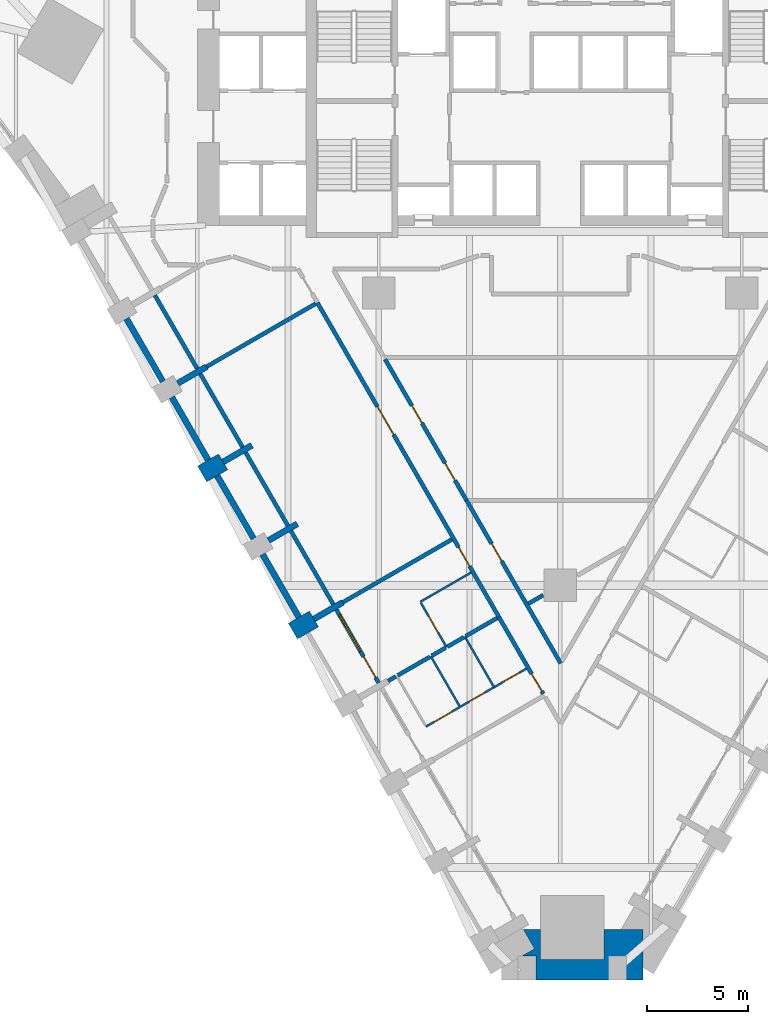
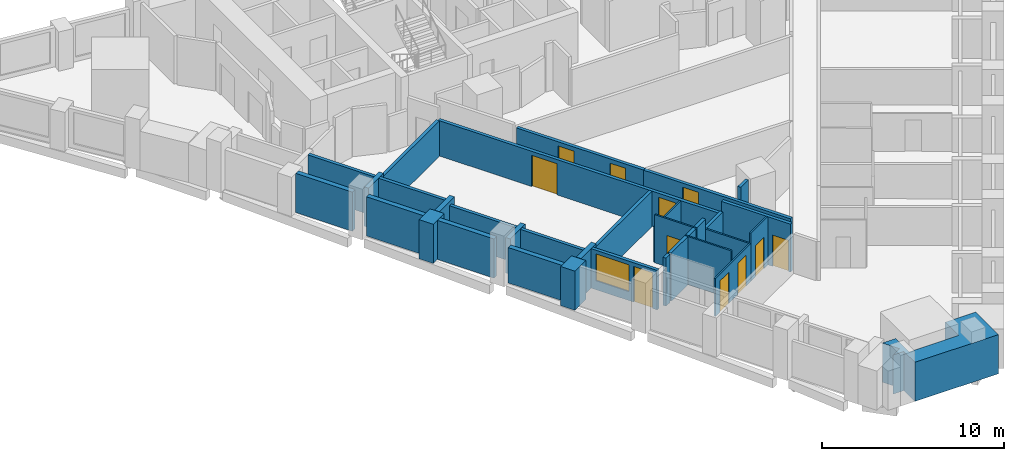
# One storey, part 3 of 10: 34 walls, 11 doors, 1 window, 12 openings.
"""IFC4 building model written with IfcOpenShell, lengths in metres."""

import ifcopenshell
import ifcopenshell.guid

model = None  # the IFC model being written
_history = None  # IfcOwnerHistory: only IFC2X3 demands one
_inside = {}  # id of a spatial element -> (the spatial element, [elements in it])
_under = {}  # id of a project, library or spatial element -> (it, [spatial elements below it])
_declared = {}  # id of a project -> (the project, [libraries it declares])
_typed = {}  # id of a type object -> (the type object, [elements of that type])
_made_of = {}  # id of a material, layer set ... -> (it, [elements and type objects made of it])


def new_model(schema):
    """Start an empty IFC model of exactly this schema.

    Asked for "IFC4X3", IfcOpenShell would pick the latest addendum, in which some entities
    have other attributes; the version numbers below select the first issue.
    IFC2X3 requires an IfcOwnerHistory on every rooted entity: one is made here for all.
    """
    global model, _history
    if schema == "IFC4X3":
        model = ifcopenshell.file(schema_version=(4, 3, 0, 0))
    else:
        model = ifcopenshell.file(schema=schema)
    _inside.clear()
    _under.clear()
    _declared.clear()
    _typed.clear()
    _made_of.clear()
    _history = None
    if model.schema == "IFC2X3":
        org = make("IfcOrganization", Name="unknown")
        user = make(
            "IfcPersonAndOrganization",
            ThePerson=make("IfcPerson", FamilyName="unknown"),
            TheOrganization=org,
        )
        app = make(
            "IfcApplication",
            ApplicationDeveloper=org,
            Version="unknown",
            ApplicationFullName="unknown",
            ApplicationIdentifier="unknown",
        )
        _history = make(
            "IfcOwnerHistory",
            OwningUser=user,
            OwningApplication=app,
            ChangeAction="ADDED",
            CreationDate=0,
        )
    return model


def make(cls, **values):
    """One entity of the class cls with the attributes given. An attribute that is None is left unset."""
    return model.create_entity(
        cls, **{name: value for name, value in values.items() if value is not None}
    )


def rooted(cls, **values):
    """An entity with a GlobalId (a new one), such as an element, a storey or a relation."""
    return make(cls, GlobalId=ifcopenshell.guid.new(), OwnerHistory=_history, **values)


def si_unit(unit_type, name, prefix=None):
    """IfcSIUnit, for example si_unit("LENGTHUNIT", "METRE", prefix="MILLI")."""
    return make("IfcSIUnit", UnitType=unit_type, Prefix=prefix, Name=name)


def assignment(units):
    """IfcUnitAssignment: the units of a project."""
    return None if units is None else make("IfcUnitAssignment", Units=units)


def point(xyz):
    """IfcCartesianPoint."""
    return None if xyz is None else make("IfcCartesianPoint", Coordinates=xyz)


def direction(xyz):
    """IfcDirection."""
    return None if xyz is None else make("IfcDirection", DirectionRatios=xyz)


def frame(location, z_axis=None, x_axis=None):
    """IfcAxis2Placement3D, a coordinate frame: its origin and axes. An axis left out is left unset."""
    return make(
        "IfcAxis2Placement3D",
        Location=point(location),
        Axis=direction(z_axis),
        RefDirection=direction(x_axis),
    )


def frame_2d(location, x_axis=None):
    """IfcAxis2Placement2D, a coordinate frame in the plane: its origin and x axis."""
    return make(
        "IfcAxis2Placement2D", Location=point(location), RefDirection=direction(x_axis)
    )


def origin():
    """The frame at (0, 0, 0) with its axes left unset."""
    return frame((0.0, 0.0, 0.0))


def place(relative_to, where):
    """IfcLocalPlacement: puts the frame where relative to a parent placement (None: the world)."""
    return make(
        "IfcLocalPlacement", PlacementRelTo=relative_to, RelativePlacement=where
    )


def context(
    kind, dimensions, precision=None, world=None, true_north=None, identifier=None
):
    """IfcGeometricRepresentationContext, for example the 3D "Model" context."""
    return make(
        "IfcGeometricRepresentationContext",
        ContextIdentifier=identifier,
        ContextType=kind,
        CoordinateSpaceDimension=dimensions,
        Precision=precision,
        WorldCoordinateSystem=world,
        TrueNorth=true_north,
    )


def subcontext(parent, identifier, kind, view, scale=None):
    """IfcGeometricRepresentationSubContext, for example "Body" below "Model"."""
    return make(
        "IfcGeometricRepresentationSubContext",
        ContextIdentifier=identifier,
        ContextType=kind,
        ParentContext=parent,
        TargetScale=scale,
        TargetView=view,
    )


def project(units=None, contexts=None):
    """IfcProject with its units and contexts."""
    return rooted(
        "IfcProject",
        Name="project",
        RepresentationContexts=contexts,
        UnitsInContext=assignment(units),
    )


def spatial(cls, under=None, at=None, **own):
    """A site, building, storey or space (cls), placed at a placement, below another one or the project."""
    s = rooted(cls, ObjectPlacement=at, **own)
    if under is not None:
        _under.setdefault(under.id(), (under, []))[1].append(s)
    return s


def polyline(points):
    """IfcPolyline through the points."""
    return make("IfcPolyline", Points=[point(p) for p in points])


def profile(cls, at=None, kind="AREA", **sizes):
    """A parametric profile (cls). Its sizes go by their IFC names, for example OverallWidth=200.0."""
    return make(cls, ProfileType=kind, Position=at, **sizes)


def rectangle(**sizes):
    """IfcRectangleProfileDef."""
    return profile("IfcRectangleProfileDef", **sizes)


def outline(outer, holes=None, kind="AREA"):
    """IfcArbitraryClosedProfileDef: a profile drawn as a closed curve; with holes, ...WithVoids."""
    if holes is None:
        return make("IfcArbitraryClosedProfileDef", ProfileType=kind, OuterCurve=outer)
    return make(
        "IfcArbitraryProfileDefWithVoids",
        ProfileType=kind,
        OuterCurve=outer,
        InnerCurves=holes,
    )


def extrude(swept, where, along, depth):
    """IfcExtrudedAreaSolid: the profile swept, set in the frame where, extruded along a direction by depth."""
    return make(
        "IfcExtrudedAreaSolid",
        SweptArea=swept,
        Position=where,
        ExtrudedDirection=direction(along),
        Depth=depth,
    )


def shape(context_of_items, identifier, shape_type, items):
    """IfcShapeRepresentation: the items that make up one representation, for example the "Body"."""
    return make(
        "IfcShapeRepresentation",
        ContextOfItems=context_of_items,
        RepresentationIdentifier=identifier,
        RepresentationType=shape_type,
        Items=items,
    )


def material(Name=None, Category=None):
    """IfcMaterial."""
    return make("IfcMaterial", Name=Name, Category=Category)


def layer(
    of_material, thickness, ventilated=None, Name=None, Category=None, Priority=None
):
    """IfcMaterialLayer: one layer of a wall or slab, of a material (None: an air gap)."""
    return make(
        "IfcMaterialLayer",
        Material=of_material,
        LayerThickness=thickness,
        IsVentilated=ventilated,
        Name=Name,
        Category=Category,
        Priority=Priority,
    )


def layer_set(layers, Name=None):
    """IfcMaterialLayerSet."""
    return make("IfcMaterialLayerSet", MaterialLayers=layers, LayerSetName=Name)


def made_of(thing, what):
    """Note that an element or type object is made of a material, layer set ...; save() writes the relation."""
    if what is not None:
        _made_of.setdefault(what.id(), (what, []))[1].append(thing)
    return thing


def type_object(cls, material=None, **own):
    """A type object (cls), such as IfcWallType, which elements share."""
    return made_of(rooted(cls, **own), material)


def element(
    cls,
    number,
    at=None,
    inside=None,
    cuts=None,
    type_object=None,
    material=None,
    context=None,
    identifier="Body",
    shape_type=None,
    held_by="IfcProductDefinitionShape",
    body=None,
    shapes=None,
    **own,
):
    """One element of the class cls, such as IfcWall. Its Tag is "e" and its number.

    at: its placement. inside: the storey or other place that contains it. cuts: it is an
    opening in that element (IfcRelVoidsElement). A single representation is given by context,
    identifier, shape_type and body (its items); several are given by shapes. held_by: the class
    of the entity that holds the representations. save() writes the other relations.
    """
    e = rooted(cls, Tag="e%d" % number, ObjectPlacement=at, **own)
    if body is not None:
        shapes = [shape(context, identifier, shape_type, body)]
    if shapes is not None:
        e.Representation = make(held_by, Representations=shapes)
    if inside is not None:
        _inside.setdefault(inside.id(), (inside, []))[1].append(e)
    if cuts is not None:
        rooted(
            "IfcRelVoidsElement", RelatingBuildingElement=cuts, RelatedOpeningElement=e
        )
    if type_object is not None:
        _typed.setdefault(type_object.id(), (type_object, []))[1].append(e)
    return made_of(e, material)


def fill(opening, filler):
    """IfcRelFillsElement: the door or window that sits in an opening."""
    return rooted(
        "IfcRelFillsElement",
        RelatingOpeningElement=opening,
        RelatedBuildingElement=filler,
    )


def aggregate(whole, parts):
    """IfcRelAggregates: a whole, such as a stair, and the parts it consists of."""
    return rooted("IfcRelAggregates", RelatingObject=whole, RelatedObjects=parts)


def save(model, path):
    """Write the relations noted so far, then the file.

    IfcRelAggregates (storeys below a building ...), IfcRelContainedInSpatialStructure (elements
    in a storey), IfcRelDefinesByType, IfcRelAssociatesMaterial and IfcRelDeclares: one each for
    every whole, place, type object, material and project.
    """
    for whole, parts in _under.values():
        aggregate(whole, parts)
    for where, things in _inside.values():
        rooted(
            "IfcRelContainedInSpatialStructure",
            RelatedElements=things,
            RelatingStructure=where,
        )
    for kind, things in _typed.values():
        rooted("IfcRelDefinesByType", RelatedObjects=things, RelatingType=kind)
    for what, things in _made_of.values():
        rooted("IfcRelAssociatesMaterial", RelatedObjects=things, RelatingMaterial=what)
    for by, libraries in _declared.values():
        rooted("IfcRelDeclares", RelatingContext=by, RelatedDefinitions=libraries)
    model.write(path)


model = new_model("IFC4")

# Units and contexts
model_context = context("Model", 3, precision=1e-05, world=origin(), true_north=direction((0.0, 1.0)))
body_context = subcontext(model_context, "Body", "Model", "MODEL_VIEW")
ifc_project = project(units=[si_unit("LENGTHUNIT", "METRE"), si_unit("AREAUNIT", "SQUARE_METRE"), si_unit("VOLUMEUNIT", "CUBIC_METRE"), si_unit("PLANEANGLEUNIT", "RADIAN"), si_unit("MASSUNIT", "GRAM", prefix="KILO")], contexts=[model_context])

# Site, building, storey
site_placement = place(None, origin())
site = spatial("IfcSite", under=ifc_project, at=site_placement, CompositionType="ELEMENT")
building_placement = place(site_placement, origin())
building = spatial("IfcBuilding", under=site, at=building_placement, Name="Calabash Gate Tower", CompositionType="ELEMENT")
storey_placement = place(building_placement, frame((0.0, 0.0, 69.800048828125)))
storey = spatial("IfcBuildingStorey", under=building, at=storey_placement, Name="L13", CompositionType="ELEMENT", Elevation=69.800048828125)

# Walls
ifc_material_1 = material(Name="Terracotta brick masonry, exposed face", Category="masonry")
ifc_layer_1 = layer(ifc_material_1, 2.5)
ifc_layer_set_1 = layer_set([ifc_layer_1], Name="Brick corner mass wall 2500")
wall_type_1 = type_object("IfcWallType", Name="Brick corner mass wall 2500", PredefinedType="SOLIDWALL", material=ifc_layer_set_1)
wall_1_placement = place(storey_placement, origin())
element("IfcWall", 1, at=wall_1_placement, inside=storey, type_object=wall_type_1, Name="Brick corner pier S03 2bb", PredefinedType="SOLIDWALL", context=body_context, shape_type="SweptSolid", body=[
    extrude(outline(polyline([(-1.202880859375, -30.376953125), (-1.202880859375, -31.576904296875), (4.115478515625, -31.576904296875), (4.115478515625, -29.076904296875), (2.172119140625, -29.076904296875), (2.172119140625, -30.548095703125), (-0.97802734375, -30.548095703125), (-0.97802734375, -29.076904296875), (-1.8251953125, -29.076904296875), (-1.276611328125, -30.027099609375), (-1.8828125, -30.376953125), (-1.202880859375, -30.376953125)])), origin(), (0.0, 0.0, 1.0), 2.6298828125),
])
ifc_material_2 = material(Name="Terracotta brick masonry, exposed face", Category="masonry")
ifc_layer_2 = layer(ifc_material_2, 1.199951171875)
ifc_layer_set_2 = layer_set([ifc_layer_2], Name="Brick end wall 1200")
wall_type_2 = type_object("IfcWallType", Name="Brick end wall 1200", PredefinedType="SOLIDWALL", material=ifc_layer_set_2)
for number, where, z_axis, x_axis, name in (
    (2, (-17.759033203125, -6.478759765625, 0.0), (0.0, 0.0, 1.0), (0.866006032174, 0.500033551112, 0.0), "Brick pier S03 SW0.3"),
    (3, (-13.259033203125, -14.27294921875, 0.0), (0.0, 0.0, 1.0), (0.866006032174, 0.500033551112, 0.0), "Brick pier S03 SW0.5"),
):
    element("IfcWall", number, at=place(storey_placement, frame(where, z_axis=z_axis, x_axis=x_axis)), inside=storey, type_object=wall_type_2, Name=name, PredefinedType="SOLIDWALL", context=body_context, shape_type="SweptSolid", body=[
        extrude(rectangle(XDim=1.2001953125, YDim=0.89990234375, at=frame_2d((0.60009765625, 0.0))), origin(), (0.0, 0.0, 1.0), 2.6298828125),
    ])
ifc_material_3 = material(Name="Terracotta brick masonry, exposed face", Category="masonry")
ifc_layer_3 = layer(ifc_material_3, 0.300048828125)
ifc_layer_set_3 = layer_set([ifc_layer_3], Name="Brick infill panel wall 300")
wall_type_3 = type_object("IfcWallType", Name="Brick infill panel wall 300", PredefinedType="SOLIDWALL", material=ifc_layer_set_3)
wall_2_placement = place(storey_placement, frame((-21.514404296875, 1.225830078125, 0.0), z_axis=(0.0, 0.0, 1.0), x_axis=(0.500012057535, -0.866018442252, 0.0)))
element("IfcWall", 4, at=wall_2_placement, inside=storey, type_object=wall_type_3, Name="Brick panel S03 SW0.2", PredefinedType="SOLIDWALL", context=body_context, shape_type="SweptSolid", body=[
    extrude(rectangle(XDim=3.60009765625, YDim=0.300048828125, at=frame_2d((1.800048828125, 0.0))), origin(), (0.0, 0.0, 1.0), 2.6298828125),
])
wall_3_placement = place(storey_placement, frame((-17.46435546875, -5.7890625, 0.0), z_axis=(0.0, 0.0, 1.0), x_axis=(-0.50001992892, 0.866013897511, 0.0)))
element("IfcWall", 5, at=wall_3_placement, inside=storey, type_object=wall_type_3, Name="Brick panel S03 SW0.3", PredefinedType="SOLIDWALL", context=body_context, shape_type="SweptSolid", body=[
    extrude(rectangle(XDim=3.599365234375, YDim=0.300048828125, at=frame_2d((1.7998046875, 0.0))), origin(), (0.0, 0.0, 1.0), 2.6298828125),
])
wall_4_placement = place(storey_placement, frame((-17.014404296875, -6.568359375, 0.0), z_axis=(0.0, 0.0, 1.0), x_axis=(0.500012057535, -0.866018442252, 0.0)))
element("IfcWall", 6, at=wall_4_placement, inside=storey, type_object=wall_type_3, Name="Brick panel S03 SW0.4", PredefinedType="SOLIDWALL", context=body_context, shape_type="SweptSolid", body=[
    extrude(rectangle(XDim=3.60009765625, YDim=0.300048828125, at=frame_2d((1.800048828125, 0.0))), origin(), (0.0, 0.0, 1.0), 2.6298828125),
])
wall_5_placement = place(storey_placement, frame((-12.96435546875, -13.583251953125, 0.0), z_axis=(0.0, 0.0, 1.0), x_axis=(-0.499990559667, 0.866030854095, 0.0)))
element("IfcWall", 7, at=wall_5_placement, inside=storey, type_object=wall_type_3, Name="Brick panel S03 SW0.5", PredefinedType="SOLIDWALL", context=body_context, shape_type="SweptSolid", body=[
    extrude(rectangle(XDim=3.599609375, YDim=0.300048828125, at=frame_2d((1.7998046875, 0.0))), origin(), (0.0, 0.0, 1.0), 2.3740234375),
])
ifc_material_4 = material(Name="Terracotta brick masonry, exposed face", Category="masonry")
ifc_layer_4 = layer(ifc_material_4, 0.300048828125)
ifc_layer_set_4 = layer_set([ifc_layer_4], Name="Brick loggia cheek wall 300")
wall_type_4 = type_object("IfcWallType", Name="Brick loggia cheek wall 300", PredefinedType="SOLIDWALL", material=ifc_layer_set_4)
for number, where, z_axis, x_axis, name in (
    (8, (-17.540771484375, -1.15673828125, 0.0), (0.0, 0.0, 1.0), (-0.866104278045, -0.499863360881, 0.0), "Loggia cheek S03 SW0.2"),
    (9, (-15.290771484375, -5.0537109375, 0.0), (0.0, 0.0, 1.0), (-0.866040211805, -0.499974350878, 0.0), "Loggia cheek S03 SW0.3"),
):
    element("IfcWall", number, at=place(storey_placement, frame(where, z_axis=z_axis, x_axis=x_axis)), inside=storey, type_object=wall_type_4, Name=name, PredefinedType="SOLIDWALL", context=body_context, shape_type="SweptSolid", body=[
        extrude(rectangle(XDim=1.64990234375, YDim=0.300048828125, at=frame_2d((0.824951171875, 0.0))), origin(), (0.0, 0.0, 1.0), 2.64990234375),
    ])
wall_6_placement = place(storey_placement, frame((-14.469482421875, -9.775634765625, 0.0), z_axis=(0.0, 0.0, 1.0), x_axis=(0.866067297121, 0.499927431592, 0.0)))
element("IfcWall", 10, at=wall_6_placement, inside=storey, type_object=wall_type_4, Name="Loggia cheek S03 SW0.4", PredefinedType="SOLIDWALL", context=body_context, shape_type="SweptSolid", body=[
    extrude(rectangle(XDim=1.649658203125, YDim=0.300048828125, at=frame_2d((0.82470703125, 0.0))), origin(), (0.0, 0.0, 1.0), 2.384033203125),
])
wall_7_placement = place(storey_placement, frame((-12.2197265625, -13.6728515625, 0.0), z_axis=(0.0, 0.0, 1.0), x_axis=(0.866040211805, 0.499974350878, 0.0)))
element("IfcWall", 11, at=wall_7_placement, inside=storey, type_object=wall_type_4, Name="Loggia cheek S03 SW0.5", PredefinedType="SOLIDWALL", context=body_context, shape_type="SweptSolid", body=[
    extrude(rectangle(XDim=1.64990234375, YDim=0.300048828125, at=frame_2d((0.824951171875, 0.0))), origin(), (0.0, 0.0, 1.0), 2.64990234375),
])

# Wall, openings, doors
ifc_material_5 = material(Name="Gypsum board on steel studs, mineral wool", Category="steel")
ifc_layer_5 = layer(ifc_material_5, 0.10009765625)
ifc_layer_set_5 = layer_set([ifc_layer_5], Name="Partition 100 gypsum board")
wall_type_5 = type_object("IfcWallType", Name="Partition 100 gypsum board", PredefinedType="PARTITIONING", material=ifc_layer_set_5)
wall_8_placement = place(storey_placement, frame((-6.656982421875, -19.008056640625, 0.0), z_axis=(0.0, 0.0, 1.0), x_axis=(0.865563469975, 0.50079924066, 0.0)))
wall_8 = element("IfcWall", 12, at=wall_8_placement, inside=storey, type_object=wall_type_5, Name="Partition", PredefinedType="PARTITIONING", context=body_context, shape_type="SweptSolid", body=[
    extrude(rectangle(XDim=3.89794921875, YDim=0.10009765625, at=frame_2d((1.948974609375, 0.0))), origin(), (0.0, 0.0, 1.0), 2.5517578125),
])
opening_1_placement = place(wall_8_placement, frame((2.47509765625, 0.0, 0.0)))
opening_1 = element("IfcOpeningElement", 13, at=opening_1_placement, cuts=wall_8, Name="Opening 12-14-017", PredefinedType="OPENING", context=body_context, shape_type="SweptSolid", body=[
    extrude(rectangle(XDim=0.89990234375, YDim=2.10009765625, at=frame_2d((0.449951171875, 1.050048828125))), frame((0.0, 0.06005859375, 0.0), z_axis=(0.0, -1.0, 0.0), x_axis=(1.0, 0.0, 0.0)), (0.0, 0.0, 1.0), 0.1201171875),
])
opening_2_placement = place(wall_8_placement, frame((0.474853515625, 0.0, 0.0)))
opening_2 = element("IfcOpeningElement", 14, at=opening_2_placement, cuts=wall_8, Name="Opening 12-14-018", PredefinedType="OPENING", context=body_context, shape_type="SweptSolid", body=[
    extrude(rectangle(XDim=1.0, YDim=2.10009765625, at=frame_2d((0.5, 1.050048828125))), frame((0.0, 0.06005859375, 0.0), z_axis=(0.0, -1.0, 0.0), x_axis=(1.0, 0.0, 0.0)), (0.0, 0.0, 1.0), 0.1201171875),
])
ifc_material_6 = material(Name="Painted timber door", Category="wood")
door_type_1 = type_object("IfcDoorType", Name="WD1 WC door 900x2100", OperationType="NOTDEFINED", PredefinedType="DOOR", material=ifc_material_6)
door_1_placement = place(opening_1_placement, origin())
door_1 = element("IfcDoor", 15, at=door_1_placement, inside=storey, type_object=door_type_1, Name="WC door", OperationType="SINGLE_SWING_RIGHT", OverallHeight=2.10009765625, OverallWidth=0.89990234375, PredefinedType="DOOR", context=body_context, shape_type="SweptSolid", body=[
    extrude(rectangle(XDim=0.89990234375, YDim=2.10009765625, at=frame_2d((0.449951171875, 1.050048828125))), frame((0.0, 0.02490234375, 0.0), z_axis=(0.0, -1.0, 0.0), x_axis=(1.0, 0.0, 0.0)), (0.0, 0.0, 1.0), 0.050048828125),
])
fill(opening_1, door_1)
ifc_material_7 = material(Name="Painted timber door", Category="wood")
door_type_2 = type_object("IfcDoorType", Name="WD2 Accessible WC door 1000x2100", OperationType="NOTDEFINED", PredefinedType="DOOR", material=ifc_material_7)
door_2_placement = place(opening_2_placement, origin())
door_2 = element("IfcDoor", 16, at=door_2_placement, inside=storey, type_object=door_type_2, Name="Accessible WC door", OperationType="SINGLE_SWING_LEFT", OverallHeight=2.10009765625, OverallWidth=1.0, PredefinedType="DOOR", context=body_context, shape_type="SweptSolid", body=[
    extrude(rectangle(XDim=1.0, YDim=2.10009765625, at=frame_2d((0.5, 1.050048828125))), frame((0.0, 0.02490234375, 0.0), z_axis=(0.0, -1.0, 0.0), x_axis=(1.0, 0.0, 0.0)), (0.0, 0.0, 1.0), 0.050048828125),
])
fill(opening_2, door_2)

# Wall
wall_9_placement = place(storey_placement, frame((-6.420654296875, -15.521240234375, 0.0), z_axis=(0.0, 0.0, 1.0), x_axis=(0.499972122318, -0.866041498374, 0.0)))
element("IfcWall", 17, at=wall_9_placement, inside=storey, type_object=wall_type_5, Name="Partition", PredefinedType="PARTITIONING", context=body_context, shape_type="SweptSolid", body=[
    extrude(rectangle(XDim=2.849853515625, YDim=0.10009765625, at=frame_2d((1.4248046875, 0.0))), origin(), (0.0, 0.0, 1.0), 3.22998046875),
])

# Wall, opening, door
wall_10_placement = place(storey_placement, frame((-3.280517578125, -17.056396484375, 0.0), z_axis=(0.0, 0.0, 1.0), x_axis=(0.866058118026, 0.49994333299, 0.0)))
wall_10 = element("IfcWall", 18, at=wall_10_placement, inside=storey, type_object=wall_type_5, Name="Partition", PredefinedType="PARTITIONING", context=body_context, shape_type="SweptSolid", body=[
    extrude(rectangle(XDim=1.849853515625, YDim=0.10009765625, at=frame_2d((0.9248046875, 0.0))), origin(), (0.0, 0.0, 1.0), 3.22998046875),
])
opening_3_placement = place(wall_10_placement, frame((0.52490234375, 0.0, 0.0)))
opening_3 = element("IfcOpeningElement", 19, at=opening_3_placement, cuts=wall_10, Name="Opening 12-14-016", PredefinedType="OPENING", context=body_context, shape_type="SweptSolid", body=[
    extrude(rectangle(XDim=0.89990234375, YDim=2.10009765625, at=frame_2d((0.449951171875, 1.050048828125))), frame((0.0, 0.06005859375, 0.0), z_axis=(0.0, -1.0, 0.0), x_axis=(1.0, 0.0, 0.0)), (0.0, 0.0, 1.0), 0.1201171875),
])
door_3_placement = place(opening_3_placement, origin())
door_3 = element("IfcDoor", 20, at=door_3_placement, inside=storey, type_object=door_type_1, Name="WC door", OperationType="SINGLE_SWING_RIGHT", OverallHeight=2.10009765625, OverallWidth=0.89990234375, PredefinedType="DOOR", context=body_context, shape_type="SweptSolid", body=[
    extrude(rectangle(XDim=0.89990234375, YDim=2.10009765625, at=frame_2d((0.449951171875, 1.050048828125))), frame((0.0, 0.02490234375, 0.0), z_axis=(0.0, -1.0, 0.0), x_axis=(1.0, 0.0, 0.0)), (0.0, 0.0, 1.0), 0.050048828125),
])
fill(opening_3, door_3)

# Wall
wall_11_placement = place(storey_placement, frame((-4.73193359375, -14.546142578125, 0.0), z_axis=(0.0, 0.0, 1.0), x_axis=(0.499972122318, -0.866041498374, 0.0)))
element("IfcWall", 21, at=wall_11_placement, inside=storey, type_object=wall_type_5, Name="Partition", PredefinedType="PARTITIONING", context=body_context, shape_type="SweptSolid", body=[
    extrude(rectangle(XDim=2.849853515625, YDim=0.10009765625, at=frame_2d((1.4248046875, 0.0))), origin(), (0.0, 0.0, 1.0), 2.5517578125),
])

# Wall, opening, door
wall_12_placement = place(storey_placement, frame((-6.914794921875, -12.86181640625, 0.0), z_axis=(0.0, 0.0, 1.0), x_axis=(0.500062241894, -0.865989465428, 0.0)))
wall_12 = element("IfcWall", 22, at=wall_12_placement, inside=storey, type_object=wall_type_5, Name="Partition", PredefinedType="PARTITIONING", context=body_context, shape_type="SweptSolid", body=[
    extrude(rectangle(XDim=2.550048828125, YDim=0.10009765625, at=frame_2d((1.27490234375, 0.0))), origin(), (0.0, 0.0, 1.0), 3.22998046875),
])
opening_4_placement = place(wall_12_placement, frame((0.800048828125, 0.0, 0.0)))
opening_4 = element("IfcOpeningElement", 23, at=opening_4_placement, cuts=wall_12, Name="Opening 12-14-003", PredefinedType="OPENING", context=body_context, shape_type="SweptSolid", body=[
    extrude(rectangle(XDim=0.89990234375, YDim=2.10009765625, at=frame_2d((0.449951171875, 1.050048828125))), frame((0.0, 0.06005859375, 0.0), z_axis=(0.0, -1.0, 0.0), x_axis=(1.0, 0.0, 0.0)), (0.0, 0.0, 1.0), 0.1201171875),
])
ifc_material_8 = material(Name="Painted timber door", Category="wood")
door_type_3 = type_object("IfcDoorType", Name="GD6 Accessible en-suite door 900x2100", OperationType="NOTDEFINED", PredefinedType="DOOR", material=ifc_material_8)
door_4_placement = place(opening_4_placement, origin())
door_4 = element("IfcDoor", 24, at=door_4_placement, inside=storey, type_object=door_type_3, Name="Accessible en-suite door", OperationType="SINGLE_SWING_LEFT", OverallHeight=2.10009765625, OverallWidth=0.89990234375, PredefinedType="DOOR", context=body_context, shape_type="SweptSolid", body=[
    extrude(rectangle(XDim=0.89990234375, YDim=2.10009765625, at=frame_2d((0.449951171875, 1.050048828125))), frame((0.0, 0.02490234375, 0.0), z_axis=(0.0, -1.0, 0.0), x_axis=(1.0, 0.0, 0.0)), (0.0, 0.0, 1.0), 0.050048828125),
])
fill(opening_4, door_4)

# Wall
wall_13_placement = place(storey_placement, frame((-6.939697265625, -12.818359375, 0.0), z_axis=(0.0, 0.0, 1.0), x_axis=(0.866314505181, 0.49949892704, 0.0)))
element("IfcWall", 25, at=wall_13_placement, inside=storey, type_object=wall_type_5, Name="Partition", PredefinedType="PARTITIONING", context=body_context, shape_type="SweptSolid", body=[
    extrude(rectangle(XDim=2.89990234375, YDim=0.10009765625, at=frame_2d((1.449951171875, 0.0))), origin(), (0.0, 0.0, 1.0), 2.3740234375),
])

# Wall, opening, door
ifc_material_9 = material(Name="Gypsum board on steel studs, mineral wool", Category="steel")
ifc_layer_6 = layer(ifc_material_9, 0.199951171875)
ifc_layer_set_6 = layer_set([ifc_layer_6], Name="Partition 200 gypsum board EI 60")
wall_type_6 = type_object("IfcWallType", Name="Partition 200 gypsum board EI 60", PredefinedType="PARTITIONING", material=ifc_layer_set_6)
wall_14_placement = place(storey_placement, frame((-3.042236328125, -13.57275390625, 0.0), z_axis=(0.0, 0.0, 1.0), x_axis=(0.49998522367, -0.866033934735, 0.0)))
wall_14 = element("IfcWall", 26, at=wall_14_placement, inside=storey, type_object=wall_type_6, Name="Partition", PredefinedType="PARTITIONING", context=body_context, shape_type="SweptSolid", body=[
    extrude(rectangle(XDim=4.396728515625, YDim=0.199951171875, at=frame_2d((2.1982421875, 0.0))), origin(), (0.0, 0.0, 1.0), 3.22998046875),
])
opening_5_placement = place(wall_14_placement, frame((3.25, 0.0, 0.0)))
opening_5 = element("IfcOpeningElement", 27, at=opening_5_placement, cuts=wall_14, Name="Opening 12-14-015", PredefinedType="OPENING", context=body_context, shape_type="SweptSolid", body=[
    extrude(rectangle(XDim=1.0, YDim=2.10009765625, at=frame_2d((0.5, 1.050048828125))), frame((0.0, 0.10986328125, 0.0), z_axis=(0.0, -1.0, 0.0), x_axis=(1.0, 0.0, 0.0)), (0.0, 0.0, 1.0), 0.219970703125),
])
ifc_material_10 = material(Name="Steel fire door set with fire-resisting glazing", Category="steel")
door_type_4 = type_object("IfcDoorType", Name="WD3 WC lobby door 1000x2100", OperationType="NOTDEFINED", PredefinedType="DOOR", material=ifc_material_10)
door_5_placement = place(opening_5_placement, origin())
door_5 = element("IfcDoor", 28, at=door_5_placement, inside=storey, type_object=door_type_4, Name="WC lobby door", OperationType="SINGLE_SWING_LEFT", OverallHeight=2.10009765625, OverallWidth=1.0, PredefinedType="DOOR", context=body_context, shape_type="SweptSolid", body=[
    extrude(rectangle(XDim=1.0, YDim=2.10009765625, at=frame_2d((0.5, 1.050048828125))), frame((0.0, 0.02490234375, 0.0), z_axis=(0.0, -1.0, 0.0), x_axis=(1.0, 0.0, 0.0)), (0.0, 0.0, 1.0), 0.050048828125),
])
fill(opening_5, door_5)

# Walls
wall_15_placement = place(storey_placement, frame((-8.540771484375, -16.7451171875, 0.0), z_axis=(0.0, 0.0, 1.0), x_axis=(0.867942353255, 0.496664948861, 0.0)))
element("IfcWall", 29, at=wall_15_placement, inside=storey, type_object=wall_type_6, Name="Partition", PredefinedType="PARTITIONING", context=body_context, shape_type="SweptSolid", body=[
    extrude(rectangle(XDim=0.44970703125, YDim=0.199951171875, at=frame_2d((0.224853515625, 0.0))), origin(), (0.0, 0.0, 1.0), 3.22998046875),
])
wall_16_placement = place(storey_placement, frame((-8.064453125, -16.47021484375, 0.0), z_axis=(0.0, 0.0, 1.0), x_axis=(0.866499636502, 0.49917770377, 0.0)))
element("IfcWall", 30, at=wall_16_placement, inside=storey, type_object=wall_type_6, Name="Partition", PredefinedType="PARTITIONING", context=body_context, shape_type="SweptSolid", body=[
    extrude(rectangle(XDim=1.849609375, YDim=0.199951171875, at=frame_2d((0.9248046875, 0.0))), origin(), (0.0, 0.0, 1.0), 3.22998046875),
])
wall_17_placement = place(storey_placement, frame((-6.375732421875, -15.4951171875, 0.0), z_axis=(0.0, 0.0, 1.0), x_axis=(0.866155162719, 0.499775183552, 0.0)))
element("IfcWall", 31, at=wall_17_placement, inside=storey, type_object=wall_type_6, Name="Partition", PredefinedType="PARTITIONING", context=body_context, shape_type="SweptSolid", body=[
    extrude(rectangle(XDim=0.801513671875, YDim=0.199951171875, at=frame_2d((0.40087890625, 0.0))), origin(), (0.0, 0.0, 1.0), 3.22998046875),
])
wall_18_placement = place(storey_placement, frame((-5.597900390625, -15.04638671875, 0.0), z_axis=(0.0, 0.0, 1.0), x_axis=(0.866787114338, 0.498678351664, 0.0)))
element("IfcWall", 32, at=wall_18_placement, inside=storey, type_object=wall_type_6, Name="Partition", PredefinedType="PARTITIONING", context=body_context, shape_type="SweptSolid", body=[
    extrude(rectangle(XDim=0.95166015625, YDim=0.199951171875, at=frame_2d((0.475830078125, 0.0))), origin(), (0.0, 0.0, 1.0), 3.22998046875),
])
wall_19_placement = place(storey_placement, frame((-4.68701171875, -14.520263671875, 0.0), z_axis=(0.0, 0.0, 1.0), x_axis=(0.866533485277, 0.499118942632, 0.0)))
element("IfcWall", 33, at=wall_19_placement, inside=storey, type_object=wall_type_6, Name="Partition", PredefinedType="PARTITIONING", context=body_context, shape_type="SweptSolid", body=[
    extrude(rectangle(XDim=1.798095703125, YDim=0.199951171875, at=frame_2d((0.89892578125, 0.0))), origin(), (0.0, 0.0, 1.0), 2.5517578125),
])

# Wall, openings, doors
wall_20_placement = place(storey_placement, frame((-12.043212890625, 2.017333984375, 0.0), z_axis=(0.0, 0.0, 1.0), x_axis=(0.5000018851, -0.866024315419, 0.0)))
wall_20 = element("IfcWall", 34, at=wall_20_placement, inside=storey, type_object=wall_type_6, Name="Partition", PredefinedType="PARTITIONING", context=body_context, shape_type="SweptSolid", body=[
    extrude(rectangle(XDim=18.0, YDim=0.199951171875, at=frame_2d((9.0, 0.0))), origin(), (0.0, 0.0, 1.0), 2.3740234375),
])
opening_6_placement = place(wall_20_placement, frame((5.949951171875, 0.0, 0.0)))
opening_6 = element("IfcOpeningElement", 35, at=opening_6_placement, cuts=wall_20, Name="Opening 12-14-001", PredefinedType="OPENING", context=body_context, shape_type="SweptSolid", body=[
    extrude(rectangle(XDim=1.60009765625, YDim=2.10009765625, at=frame_2d((0.800048828125, 1.050048828125))), frame((0.0, 0.10986328125, 0.0), z_axis=(0.0, -1.0, 0.0), x_axis=(1.0, 0.0, 0.0)), (0.0, 0.0, 1.0), 0.219970703125),
])
opening_7_placement = place(wall_20_placement, frame((14.0, 0.0, 0.0)))
opening_7 = element("IfcOpeningElement", 36, at=opening_7_placement, cuts=wall_20, Name="Opening 12-14-002", PredefinedType="OPENING", context=body_context, shape_type="SweptSolid", body=[
    extrude(rectangle(XDim=1.10009765625, YDim=2.10009765625, at=frame_2d((0.550048828125, 1.050048828125))), frame((0.0, 0.10986328125, 0.0), z_axis=(0.0, -1.0, 0.0), x_axis=(1.0, 0.0, 0.0)), (0.0, 0.0, 1.0), 0.219970703125),
])
ifc_material_11 = material(Name="Steel fire door set with fire-resisting glazing", Category="steel")
door_type_5 = type_object("IfcDoorType", Name="GD2 Accessible guest room entrance door 1100x2100", OperationType="NOTDEFINED", PredefinedType="DOOR", material=ifc_material_11)
door_6_placement = place(opening_7_placement, origin())
door_6 = element("IfcDoor", 37, at=door_6_placement, inside=storey, type_object=door_type_5, Name="Accessible guest room entrance door", OperationType="SINGLE_SWING_RIGHT", OverallHeight=2.10009765625, OverallWidth=1.10009765625, PredefinedType="DOOR", context=body_context, shape_type="SweptSolid", body=[
    extrude(rectangle(XDim=1.10009765625, YDim=2.10009765625, at=frame_2d((0.550048828125, 1.050048828125))), frame((0.0, 0.02490234375, 0.0), z_axis=(0.0, -1.0, 0.0), x_axis=(1.0, 0.0, 0.0)), (0.0, 0.0, 1.0), 0.050048828125),
])
fill(opening_7, door_6)
ifc_material_12 = material(Name="Steel fire door set with fire-resisting glazing", Category="steel")
door_type_6 = type_object("IfcDoorType", Name="LD1 Lounge double door 1600x2100", OperationType="NOTDEFINED", PredefinedType="DOOR", material=ifc_material_12)
door_7_placement = place(opening_6_placement, origin())
door_7 = element("IfcDoor", 38, at=door_7_placement, inside=storey, type_object=door_type_6, Name="Lounge double door", OperationType="DOUBLE_DOOR_SINGLE_SWING", OverallHeight=2.10009765625, OverallWidth=1.60009765625, PredefinedType="DOOR", context=body_context, shape_type="SweptSolid", body=[
    extrude(rectangle(XDim=1.60009765625, YDim=2.10009765625, at=frame_2d((0.800048828125, 1.050048828125))), frame((0.0, 0.02490234375, 0.0), z_axis=(0.0, -1.0, 0.0), x_axis=(1.0, 0.0, 0.0)), (0.0, 0.0, 1.0), 0.050048828125),
])
fill(opening_6, door_7)

# Walls
wall_21_placement = place(storey_placement, frame((-1.576171875, -12.907958984375, 0.0), z_axis=(0.0, 0.0, 1.0), x_axis=(0.866912601189, 0.498460170825, 0.0)))
element("IfcWall", 39, at=wall_21_placement, inside=storey, type_object=wall_type_6, Name="Partition", PredefinedType="PARTITIONING", context=body_context, shape_type="SweptSolid", body=[
    extrude(rectangle(XDim=0.837646484375, YDim=0.199951171875, at=frame_2d((0.4189453125, 0.0))), origin(), (0.0, 0.0, 1.0), 3.22998046875),
])
wall_22_placement = place(storey_placement, frame((-10.790771484375, -12.84814453125, 0.0), z_axis=(0.0, 0.0, 1.0), x_axis=(0.866170627668, 0.499748380452, 0.0)))
element("IfcWall", 40, at=wall_22_placement, inside=storey, type_object=wall_type_6, Name="Partition", PredefinedType="PARTITIONING", context=body_context, shape_type="SweptSolid", body=[
    extrude(rectangle(XDim=6.249755859375, YDim=0.199951171875, at=frame_2d((3.125, 0.0))), origin(), (0.0, 0.0, 1.0), 2.3740234375),
])

# Wall, opening, door
wall_23_placement = place(storey_placement, frame((-4.64892578125, -7.7822265625, 0.0), z_axis=(0.0, 0.0, 1.0), x_axis=(0.500018878653, -0.866014503915, 0.0)))
wall_23 = element("IfcWall", 41, at=wall_23_placement, inside=storey, type_object=wall_type_6, Name="Partition", PredefinedType="PARTITIONING", context=body_context, shape_type="SweptSolid", body=[
    extrude(rectangle(XDim=9.339599609375, YDim=0.199951171875, at=frame_2d((4.669921875, 0.0))), origin(), (0.0, 0.0, 1.0), 2.3740234375),
])
opening_8_placement = place(wall_23_placement, frame((2.48779296875, 0.0, 0.0)))
opening_8 = element("IfcOpeningElement", 42, at=opening_8_placement, cuts=wall_23, Name="Opening 12-14-013", PredefinedType="OPENING", context=body_context, shape_type="SweptSolid", body=[
    extrude(rectangle(XDim=1.0, YDim=2.10009765625, at=frame_2d((0.5, 1.050048828125))), frame((0.0, 0.10986328125, 0.0), z_axis=(0.0, -1.0, 0.0), x_axis=(1.0, 0.0, 0.0)), (0.0, 0.0, 1.0), 0.219970703125),
])
ifc_material_13 = material(Name="Steel fire door set with fire-resisting glazing", Category="steel")
door_type_7 = type_object("IfcDoorType", Name="LD2 Meeting room door 1000x2100", OperationType="NOTDEFINED", PredefinedType="DOOR", material=ifc_material_13)
door_8_placement = place(opening_8_placement, origin())
door_8 = element("IfcDoor", 43, at=door_8_placement, inside=storey, type_object=door_type_7, Name="Meeting room door", OperationType="SINGLE_SWING_LEFT", OverallHeight=2.10009765625, OverallWidth=1.0, PredefinedType="DOOR", context=body_context, shape_type="SweptSolid", body=[
    extrude(rectangle(XDim=1.0, YDim=2.10009765625, at=frame_2d((0.5, 1.050048828125))), frame((0.0, 0.02490234375, 0.0), z_axis=(0.0, -1.0, 0.0), x_axis=(1.0, 0.0, 0.0)), (0.0, 0.0, 1.0), 0.050048828125),
])
fill(opening_8, door_8)

# Wall
wall_24_placement = place(storey_placement, frame((-17.541015625, -1.15625, 0.0), z_axis=(0.0, 0.0, 1.0), x_axis=(0.865906436394, 0.500206000974, 0.0)))
element("IfcWall", 44, at=wall_24_placement, inside=storey, type_object=wall_type_6, Name="Partition", PredefinedType="PARTITIONING", context=body_context, shape_type="SweptSolid", body=[
    extrude(rectangle(XDim=6.249267578125, YDim=0.199951171875, at=frame_2d((3.12451171875, 0.0))), origin(), (0.0, 0.0, 1.0), 2.384033203125),
])

# Wall, openings, doors
wall_25_placement = place(storey_placement, frame((-8.685791015625, -0.790283203125, 0.0), z_axis=(0.0, 0.0, 1.0), x_axis=(0.499814962183, -0.866132209064, 0.0)))
wall_25 = element("IfcWall", 45, at=wall_25_placement, inside=storey, type_object=wall_type_6, Name="Partition", PredefinedType="PARTITIONING", context=body_context, shape_type="SweptSolid", body=[
    extrude(rectangle(XDim=8.072265625, YDim=0.199951171875, at=frame_2d((4.0361328125, 0.0))), origin(), (0.0, 0.0, 1.0), 2.384033203125),
])
opening_9_placement = place(wall_25_placement, frame((5.93896484375, 0.0, 0.0)))
opening_9 = element("IfcOpeningElement", 46, at=opening_9_placement, cuts=wall_25, Name="Opening 12-14-011", PredefinedType="OPENING", context=body_context, shape_type="SweptSolid", body=[
    extrude(rectangle(XDim=1.0, YDim=2.10009765625, at=frame_2d((0.5, 1.050048828125))), frame((0.0, 0.10986328125, 0.0), z_axis=(0.0, -1.0, 0.0), x_axis=(1.0, 0.0, 0.0)), (0.0, 0.0, 1.0), 0.219970703125),
])
opening_10_placement = place(wall_25_placement, frame((2.65673828125, 0.0, 0.0)))
opening_10 = element("IfcOpeningElement", 47, at=opening_10_placement, cuts=wall_25, Name="Opening 12-14-026", PredefinedType="OPENING", context=body_context, shape_type="SweptSolid", body=[
    extrude(rectangle(XDim=1.0, YDim=2.10009765625, at=frame_2d((0.5, 1.050048828125))), frame((0.0, 0.10986328125, 0.0), z_axis=(0.0, -1.0, 0.0), x_axis=(1.0, 0.0, 0.0)), (0.0, 0.0, 1.0), 0.219970703125),
])
door_9_placement = place(opening_9_placement, origin())
door_9 = element("IfcDoor", 48, at=door_9_placement, inside=storey, type_object=door_type_7, Name="Meeting room door", OperationType="SINGLE_SWING_RIGHT", OverallHeight=2.10009765625, OverallWidth=1.0, PredefinedType="DOOR", context=body_context, shape_type="SweptSolid", body=[
    extrude(rectangle(XDim=1.0, YDim=2.10009765625, at=frame_2d((0.5, 1.050048828125))), frame((0.0, 0.02490234375, 0.0), z_axis=(0.0, -1.0, 0.0), x_axis=(1.0, 0.0, 0.0)), (0.0, 0.0, 1.0), 0.050048828125),
])
fill(opening_9, door_9)
door_10_placement = place(opening_10_placement, origin())
door_10 = element("IfcDoor", 49, at=door_10_placement, inside=storey, type_object=door_type_7, Name="Meeting room door", OperationType="SINGLE_SWING_LEFT", OverallHeight=2.10009765625, OverallWidth=1.0, PredefinedType="DOOR", context=body_context, shape_type="SweptSolid", body=[
    extrude(rectangle(XDim=1.0, YDim=2.10009765625, at=frame_2d((0.5, 1.050048828125))), frame((0.0, 0.02490234375, 0.0), z_axis=(0.0, -1.0, 0.0), x_axis=(1.0, 0.0, 0.0)), (0.0, 0.0, 1.0), 0.050048828125),
])
fill(opening_10, door_10)

# Walls
ifc_material_14 = material(Name="Aluminium framed window wall with insulated spandrel", Category="aluminium")
ifc_layer_7 = layer(ifc_material_14, 0.199951171875)
ifc_layer_set_7 = layer_set([ifc_layer_7], Name="Window wall 200")
wall_type_7 = type_object("IfcWallType", Name="Window wall 200", PredefinedType="ELEMENTEDWALL", material=ifc_layer_set_7)
for number, where, z_axis, x_axis, name in (
    (50, (-20.10546875, 2.385498046875, 0.0), (0.0, 0.0, 1.0), (0.49998411664, -0.866034573852, 0.0), "Window wall S03 SW0.2"),
    (51, (-17.85546875, -1.511474609375, 0.0), (0.0, 0.0, 1.0), (0.499958946799, -0.866049104564, 0.0), "Window wall S03 SW0.3"),
):
    element("IfcWall", number, at=place(storey_placement, frame(where, z_axis=z_axis, x_axis=x_axis)), inside=storey, type_object=wall_type_7, Name=name, PredefinedType="ELEMENTEDWALL", context=body_context, shape_type="SweptSolid", body=[
        extrude(rectangle(XDim=4.199951171875, YDim=0.199951171875, at=frame_2d((2.10009765625, 0.0))), origin(), (0.0, 0.0, 1.0), 2.64990234375),
    ])
wall_26_placement = place(storey_placement, frame((-15.60546875, -5.40869140625, 0.0), z_axis=(0.0, 0.0, 1.0), x_axis=(0.49998411664, -0.866034573852, 0.0)))
element("IfcWall", 52, at=wall_26_placement, inside=storey, type_object=wall_type_7, Name="Window wall S03 SW0.4", PredefinedType="ELEMENTEDWALL", context=body_context, shape_type="SweptSolid", body=[
    extrude(rectangle(XDim=4.199951171875, YDim=0.199951171875, at=frame_2d((2.10009765625, 0.0))), origin(), (0.0, 0.0, 1.0), 2.384033203125),
])
wall_27_placement = place(storey_placement, frame((-13.35546875, -9.3056640625, 0.0), z_axis=(0.0, 0.0, 1.0), x_axis=(0.499958946799, -0.866049104564, 0.0)))
element("IfcWall", 53, at=wall_27_placement, inside=storey, type_object=wall_type_7, Name="Window wall S03 SW0.5", PredefinedType="ELEMENTEDWALL", context=body_context, shape_type="SweptSolid", body=[
    extrude(rectangle(XDim=4.199951171875, YDim=0.199951171875, at=frame_2d((2.10009765625, 0.0))), origin(), (0.0, 0.0, 1.0), 2.3740234375),
])

# Wall, openings, door, window
wall_28_placement = place(storey_placement, frame((-11.10546875, -13.202880859375, 0.0), z_axis=(0.0, 0.0, 1.0), x_axis=(0.49998411664, -0.866034573852, 0.0)))
wall_28 = element("IfcWall", 54, at=wall_28_placement, inside=storey, type_object=wall_type_7, Name="Window wall S03 SW0.6", PredefinedType="ELEMENTEDWALL", context=body_context, shape_type="SweptSolid", body=[
    extrude(rectangle(XDim=4.199951171875, YDim=0.199951171875, at=frame_2d((2.10009765625, 0.0))), origin(), (0.0, 0.0, 1.0), 2.64990234375),
])
opening_11_placement = place(wall_28_placement, frame((0.300048828125, 0.0, 0.60009765625)))
opening_11 = element("IfcOpeningElement", 55, at=opening_11_placement, cuts=wall_28, Name="Opening HW1", PredefinedType="OPENING", context=body_context, shape_type="SweptSolid", body=[
    extrude(rectangle(XDim=2.10009765625, YDim=1.800048828125, at=frame_2d((1.050048828125, 0.89990234375))), frame((0.0, 0.10986328125, 0.0), z_axis=(0.0, -1.0, 0.0), x_axis=(1.0, 0.0, 0.0)), (0.0, 0.0, 1.0), 0.219970703125),
])
opening_12_placement = place(wall_28_placement, frame((2.699951171875, 0.0, 0.0)))
opening_12 = element("IfcOpeningElement", 56, at=opening_12_placement, cuts=wall_28, Name="Opening H3-025", PredefinedType="OPENING", context=body_context, shape_type="SweptSolid", body=[
    extrude(rectangle(XDim=1.199951171875, YDim=2.39990234375, at=frame_2d((0.60009765625, 1.199951171875))), frame((0.0, 0.10986328125, 0.0), z_axis=(0.0, -1.0, 0.0), x_axis=(1.0, 0.0, 0.0)), (0.0, 0.0, 1.0), 0.219970703125),
])
ifc_material_15 = material(Name="Anodised aluminium frame, bronze finish, impact-rated laminated clear glazing", Category="aluminium")
door_type_8 = type_object("IfcDoorType", Name="Loggia door DH1 1200x2400", OperationType="SLIDING_TO_LEFT", PredefinedType="DOOR", material=ifc_material_15)
door_11_placement = place(opening_12_placement, origin())
door_11 = element("IfcDoor", 57, at=door_11_placement, inside=storey, type_object=door_type_8, Name="Loggia door S03 SW0.6", OperationType="SINGLE_SWING_LEFT", OverallHeight=2.39990234375, OverallWidth=1.199951171875, PredefinedType="DOOR", context=body_context, shape_type="SweptSolid", body=[
    extrude(rectangle(XDim=1.199951171875, YDim=2.39990234375, at=frame_2d((0.60009765625, 1.199951171875))), frame((0.0, 0.02490234375, 0.0), z_axis=(0.0, -1.0, 0.0), x_axis=(1.0, 0.0, 0.0)), (0.0, 0.0, 1.0), 0.050048828125),
])
fill(opening_12, door_11)
ifc_material_16 = material(Name="Anodised aluminium frame, bronze finish, impact-rated laminated clear glazing", Category="aluminium")
window_type = type_object("IfcWindowType", Name="Window HW1 2100x1800", PartitioningType="DOUBLE_PANEL_VERTICAL", PredefinedType="WINDOW", material=ifc_material_16)
window_placement = place(opening_11_placement, origin())
window = element("IfcWindow", 58, at=window_placement, inside=storey, type_object=window_type, Name="Window HW1 S03 SW0.6", OverallHeight=1.800048828125, OverallWidth=2.10009765625, PartitioningType="SINGLE_PANEL", PredefinedType="WINDOW", context=body_context, shape_type="SweptSolid", body=[
    extrude(rectangle(XDim=2.10009765625, YDim=1.800048828125, at=frame_2d((1.050048828125, 0.89990234375))), frame((0.0, 0.030029296875, 0.0), z_axis=(0.0, -1.0, 0.0), x_axis=(1.0, 0.0, 0.0)), (0.0, 0.0, 1.0), 0.06005859375),
])
fill(opening_11, window)

save(model, "model.ifc")
